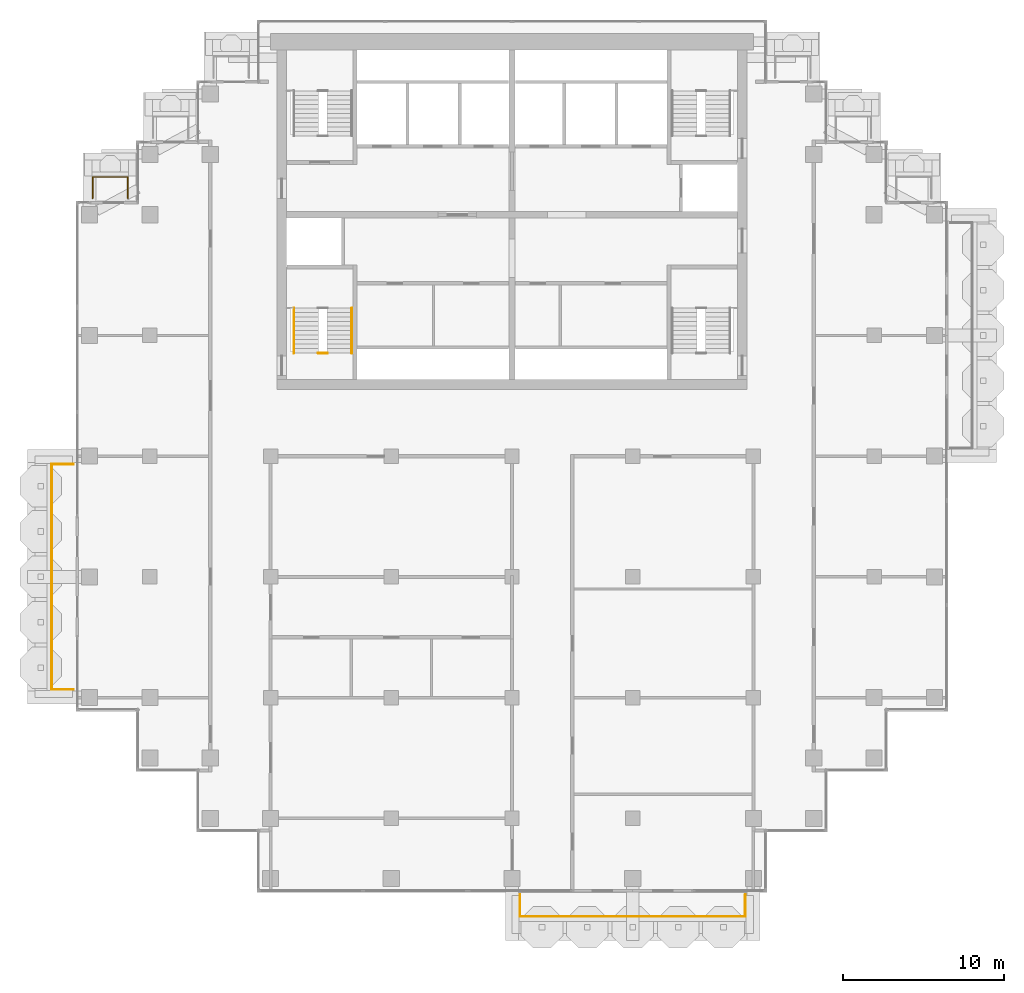
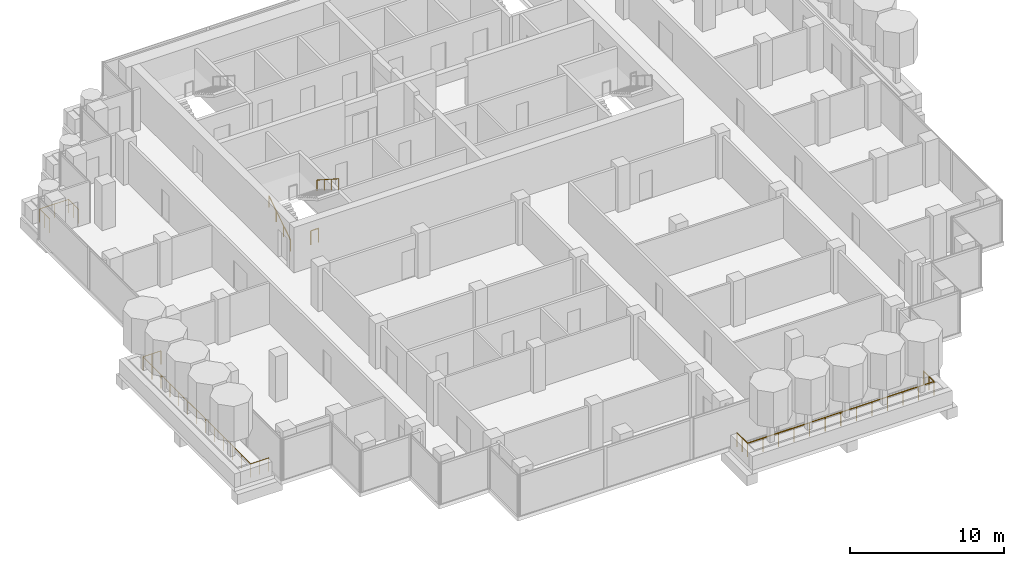
# One storey, part 15 of 18: 6 railings.
"""IFC4 building model written with IfcOpenShell, lengths in metres."""

from ifc_helpers import new_model, si_unit, direction, frame, origin, origin_2d, place, context, subcontext, project, spatial, circle, extrude, material, type_object, element, save


model = new_model("IFC4")

# Units and contexts
model_context = context("Model", 3, precision=1e-05, world=origin(), true_north=direction((0.0, 1.0)))
body_context = subcontext(model_context, "Body", "Model", "MODEL_VIEW")
ifc_project = project(units=[si_unit("LENGTHUNIT", "METRE"), si_unit("AREAUNIT", "SQUARE_METRE"), si_unit("VOLUMEUNIT", "CUBIC_METRE"), si_unit("PLANEANGLEUNIT", "RADIAN"), si_unit("MASSUNIT", "GRAM", prefix="KILO")], contexts=[model_context])

# Site, building, storey
site_placement = place(None, origin())
site = spatial("IfcSite", under=ifc_project, at=site_placement, CompositionType="ELEMENT")
building_placement = place(site_placement, origin())
building = spatial("IfcBuilding", under=site, at=building_placement, Name="Pilkhan Gate Tower", CompositionType="ELEMENT")
storey_placement = place(building_placement, frame((0.0, 0.0, 203.10009765625)))
storey = spatial("IfcBuildingStorey", under=building, at=storey_placement, Name="L52", CompositionType="ELEMENT", Elevation=203.10009765625)

# Railings
ifc_material_1 = material(Name="Pale anodised aluminium posts, laminated glass infill", Category="aluminium")
railing_type_1 = type_object("IfcRailingType", Name="Balcony guard G1", PredefinedType="BALUSTRADE", material=ifc_material_1)
railing_1_placement = place(storey_placement, frame((75.5, 40.25, 0.0)))
element("IfcRailing", 1, at=railing_1_placement, inside=storey, type_object=railing_type_1, Name="Balcony guard L52 S", PredefinedType="BALUSTRADE", context=body_context, shape_type="SweptSolid", body=[
    extrude(circle(Radius=0.02392578125, at=origin_2d()), frame((0.0, 0.0, 1.076171875), z_axis=(0.0, -1.0, 0.0), x_axis=(1.0, 0.0, 0.0)), (0.0, 0.0, 1.0), 1.35009765625),
    extrude(circle(Radius=0.02392578125, at=origin_2d()), frame((0.0, -1.35009765625, 1.076171875), z_axis=(1.0, 0.0, 0.0), x_axis=(0.0, 1.0, 0.0)), (0.0, 0.0, 1.0), 14.0),
    extrude(circle(Radius=0.02392578125, at=origin_2d()), frame((14.0, -1.35009765625, 1.076171875), z_axis=(0.0, 1.0, 0.0), x_axis=(-1.0, 0.0, 0.0)), (0.0, 0.0, 1.0), 1.35009765625),
    extrude(circle(Radius=0.02099609375, at=origin_2d()), origin(), (0.0, 0.0, 1.0), 1.052001953125),
    extrude(circle(Radius=0.02099609375, at=origin_2d()), frame((0.0, -0.675048828125, 0.0)), (0.0, 0.0, 1.0), 1.052001953125),
    extrude(circle(Radius=0.02099609375, at=origin_2d()), frame((0.0, -1.35009765625, 0.0)), (0.0, 0.0, 1.0), 1.052001953125),
    extrude(circle(Radius=0.02099609375, at=origin_2d()), frame((1.166748046875, -1.35009765625, 0.0)), (0.0, 0.0, 1.0), 1.052001953125),
    extrude(circle(Radius=0.02099609375, at=origin_2d()), frame((2.333251953125, -1.35009765625, 0.0)), (0.0, 0.0, 1.0), 1.052001953125),
    extrude(circle(Radius=0.02099609375, at=origin_2d()), frame((3.5, -1.35009765625, 0.0)), (0.0, 0.0, 1.0), 1.052001953125),
    extrude(circle(Radius=0.02099609375, at=origin_2d()), frame((4.666748046875, -1.35009765625, 0.0)), (0.0, 0.0, 1.0), 1.052001953125),
    extrude(circle(Radius=0.02099609375, at=origin_2d()), frame((5.833251953125, -1.35009765625, 0.0)), (0.0, 0.0, 1.0), 1.052001953125),
    extrude(circle(Radius=0.02099609375, at=origin_2d()), frame((7.0, -1.35009765625, 0.0)), (0.0, 0.0, 1.0), 1.052001953125),
    extrude(circle(Radius=0.02099609375, at=origin_2d()), frame((8.166748046875, -1.35009765625, 0.0)), (0.0, 0.0, 1.0), 1.052001953125),
    extrude(circle(Radius=0.02099609375, at=origin_2d()), frame((9.333251953125, -1.35009765625, 0.0)), (0.0, 0.0, 1.0), 1.052001953125),
    extrude(circle(Radius=0.02099609375, at=origin_2d()), frame((10.5, -1.35009765625, 0.0)), (0.0, 0.0, 1.0), 1.052001953125),
    extrude(circle(Radius=0.02099609375, at=origin_2d()), frame((11.666748046875, -1.35009765625, 0.0)), (0.0, 0.0, 1.0), 1.052001953125),
    extrude(circle(Radius=0.02099609375, at=origin_2d()), frame((12.833251953125, -1.35009765625, 0.0)), (0.0, 0.0, 1.0), 1.052001953125),
    extrude(circle(Radius=0.02099609375, at=origin_2d()), frame((14.0, -1.35009765625, 0.0)), (0.0, 0.0, 1.0), 1.052001953125),
    extrude(circle(Radius=0.02099609375, at=origin_2d()), frame((14.0, -0.675048828125, 0.0)), (0.0, 0.0, 1.0), 1.052001953125),
    extrude(circle(Radius=0.02099609375, at=origin_2d()), frame((14.0, 0.0, 0.0)), (0.0, 0.0, 1.0), 1.052001953125),
])
railing_2_placement = place(storey_placement, frame((48.949951171875, 83.52001953125, 0.0)))
element("IfcRailing", 2, at=railing_2_placement, inside=storey, type_object=railing_type_1, Name="Balcony guard L52 N", PredefinedType="BALUSTRADE", context=body_context, shape_type="SweptSolid", body=[
    extrude(circle(Radius=0.02392578125, at=origin_2d()), frame((0.0, 0.0, 1.076171875), z_axis=(0.0, 1.0, 0.0), x_axis=(-1.0, 0.0, 0.0)), (0.0, 0.0, 1.0), 1.330078125),
    extrude(circle(Radius=0.02392578125, at=origin_2d()), frame((0.0, 1.330078125, 1.076171875), z_axis=(1.0, 0.0, 0.0), x_axis=(0.0, 1.0, 0.0)), (0.0, 0.0, 1.0), 2.179931640625),
    extrude(circle(Radius=0.02392578125, at=origin_2d()), frame((2.179931640625, 1.330078125, 1.076171875), z_axis=(0.0, -1.0, 0.0), x_axis=(1.0, 0.0, 0.0)), (0.0, 0.0, 1.0), 1.330078125),
    extrude(circle(Radius=0.02099609375, at=origin_2d()), origin(), (0.0, 0.0, 1.0), 1.052001953125),
    extrude(circle(Radius=0.02099609375, at=origin_2d()), frame((0.0, 0.6650390625, 0.0)), (0.0, 0.0, 1.0), 1.052001953125),
    extrude(circle(Radius=0.02099609375, at=origin_2d()), frame((0.0, 1.330078125, 0.0)), (0.0, 0.0, 1.0), 1.052001953125),
    extrude(circle(Radius=0.02099609375, at=origin_2d()), frame((1.08984375, 1.330078125, 0.0)), (0.0, 0.0, 1.0), 1.052001953125),
    extrude(circle(Radius=0.02099609375, at=origin_2d()), frame((2.179931640625, 1.330078125, 0.0)), (0.0, 0.0, 1.0), 1.052001953125),
    extrude(circle(Radius=0.02099609375, at=origin_2d()), frame((2.179931640625, 0.6650390625, 0.0)), (0.0, 0.0, 1.0), 1.052001953125),
    extrude(circle(Radius=0.02099609375, at=origin_2d()), frame((2.179931640625, 0.0, 0.0)), (0.0, 0.0, 1.0), 1.052001953125),
])
railing_3_placement = place(storey_placement, frame((47.75, 53.0, 0.0)))
element("IfcRailing", 3, at=railing_3_placement, inside=storey, type_object=railing_type_1, Name="Balcony guard L52 W", PredefinedType="BALUSTRADE", context=body_context, shape_type="SweptSolid", body=[
    extrude(circle(Radius=0.02392578125, at=origin_2d()), frame((0.0, 0.0, 1.076171875), z_axis=(-1.0, 0.0, 0.0), x_axis=(0.0, -1.0, 0.0)), (0.0, 0.0, 1.0), 1.35009765625),
    extrude(circle(Radius=0.02392578125, at=origin_2d()), frame((-1.35009765625, 0.0, 1.076171875), z_axis=(0.0, 1.0, 0.0), x_axis=(-1.0, 0.0, 0.0)), (0.0, 0.0, 1.0), 14.0),
    extrude(circle(Radius=0.02392578125, at=origin_2d()), frame((-1.35009765625, 14.0, 1.076171875), z_axis=(1.0, 0.0, 0.0), x_axis=(0.0, 1.0, 0.0)), (0.0, 0.0, 1.0), 1.35009765625),
    extrude(circle(Radius=0.02099609375, at=origin_2d()), origin(), (0.0, 0.0, 1.0), 1.052001953125),
    extrude(circle(Radius=0.02099609375, at=origin_2d()), frame((-0.675048828125, 0.0, 0.0)), (0.0, 0.0, 1.0), 1.052001953125),
    extrude(circle(Radius=0.02099609375, at=origin_2d()), frame((-1.35009765625, 0.0, 0.0)), (0.0, 0.0, 1.0), 1.052001953125),
    extrude(circle(Radius=0.02099609375, at=origin_2d()), frame((-1.35009765625, 1.166748046875, 0.0)), (0.0, 0.0, 1.0), 1.052001953125),
    extrude(circle(Radius=0.02099609375, at=origin_2d()), frame((-1.35009765625, 2.333251953125, 0.0)), (0.0, 0.0, 1.0), 1.052001953125),
    extrude(circle(Radius=0.02099609375, at=origin_2d()), frame((-1.35009765625, 3.5, 0.0)), (0.0, 0.0, 1.0), 1.052001953125),
    extrude(circle(Radius=0.02099609375, at=origin_2d()), frame((-1.35009765625, 4.666748046875, 0.0)), (0.0, 0.0, 1.0), 1.052001953125),
    extrude(circle(Radius=0.02099609375, at=origin_2d()), frame((-1.35009765625, 5.833251953125, 0.0)), (0.0, 0.0, 1.0), 1.052001953125),
    extrude(circle(Radius=0.02099609375, at=origin_2d()), frame((-1.35009765625, 7.0, 0.0)), (0.0, 0.0, 1.0), 1.052001953125),
    extrude(circle(Radius=0.02099609375, at=origin_2d()), frame((-1.35009765625, 8.166748046875, 0.0)), (0.0, 0.0, 1.0), 1.052001953125),
    extrude(circle(Radius=0.02099609375, at=origin_2d()), frame((-1.35009765625, 9.333251953125, 0.0)), (0.0, 0.0, 1.0), 1.052001953125),
    extrude(circle(Radius=0.02099609375, at=origin_2d()), frame((-1.35009765625, 10.5, 0.0)), (0.0, 0.0, 1.0), 1.052001953125),
    extrude(circle(Radius=0.02099609375, at=origin_2d()), frame((-1.35009765625, 11.666748046875, 0.0)), (0.0, 0.0, 1.0), 1.052001953125),
    extrude(circle(Radius=0.02099609375, at=origin_2d()), frame((-1.35009765625, 12.833251953125, 0.0)), (0.0, 0.0, 1.0), 1.052001953125),
    extrude(circle(Radius=0.02099609375, at=origin_2d()), frame((-1.35009765625, 14.0, 0.0)), (0.0, 0.0, 1.0), 1.052001953125),
    extrude(circle(Radius=0.02099609375, at=origin_2d()), frame((-0.675048828125, 14.0, 0.0)), (0.0, 0.0, 1.0), 1.052001953125),
    extrude(circle(Radius=0.02099609375, at=origin_2d()), frame((0.0, 14.0, 0.0)), (0.0, 0.0, 1.0), 1.052001953125),
])
ifc_material_2 = material(Name="Black powder-coated steel tube", Category="steel")
railing_type_2 = type_object("IfcRailingType", Name="Stair handrail HR1", PredefinedType="HANDRAIL", material=ifc_material_2)
railing_4_placement = place(storey_placement, frame((61.449951171875, 73.89990234375, 0.0)))
element("IfcRailing", 4, at=railing_4_placement, inside=storey, type_object=railing_type_2, Name="Stair ST2 handrail L52", PredefinedType="HANDRAIL", context=body_context, shape_type="SweptSolid", body=[
    extrude(circle(Radius=0.02392578125, at=origin_2d()), frame((0.0, 0.0, 0.8759765625), z_axis=(0.0, 0.841209454229, 0.540709398952), x_axis=(-1.0, 0.0, 0.0)), (0.0, 0.0, 1.0), 3.32861328125),
    extrude(circle(Radius=0.02099609375, at=origin_2d()), origin(), (0.0, 0.0, 1.0), 0.851806640625),
    extrude(circle(Radius=0.02099609375, at=origin_2d()), frame((0.0, 0.933349609375, 0.599853515625)), (0.0, 0.0, 1.0), 0.851806640625),
    extrude(circle(Radius=0.02099609375, at=origin_2d()), frame((0.0, 1.86669921875, 1.199951171875)), (0.0, 0.0, 1.0), 0.851806640625),
    extrude(circle(Radius=0.02099609375, at=origin_2d()), frame((0.0, 2.800048828125, 1.7998046875)), (0.0, 0.0, 1.0), 0.851806640625),
])
railing_5_placement = place(storey_placement, frame((65.050048828125, 76.699951171875, 1.7998046875)))
element("IfcRailing", 5, at=railing_5_placement, inside=storey, type_object=railing_type_2, Name="Stair ST2 handrail L52", PredefinedType="HANDRAIL", context=body_context, shape_type="SweptSolid", body=[
    extrude(circle(Radius=0.02392578125, at=origin_2d()), frame((0.0, 0.0, 0.8759765625), z_axis=(0.0, -0.841176092368, 0.540761298198), x_axis=(1.0, 0.0, 0.0)), (0.0, 0.0, 1.0), 3.32861328125),
    extrude(circle(Radius=0.02099609375, at=origin_2d()), origin(), (0.0, 0.0, 1.0), 0.851806640625),
    extrude(circle(Radius=0.02099609375, at=origin_2d()), frame((0.0, -0.933349609375, 0.60009765625)), (0.0, 0.0, 1.0), 0.851806640625),
    extrude(circle(Radius=0.02099609375, at=origin_2d()), frame((0.0, -1.86669921875, 1.199951171875)), (0.0, 0.0, 1.0), 0.851806640625),
    extrude(circle(Radius=0.02099609375, at=origin_2d()), frame((0.0, -2.800048828125, 1.800048828125)), (0.0, 0.0, 1.0), 0.851806640625),
])
ifc_material_3 = material(Name="Black powder-coated steel balusters", Category="steel")
railing_type_3 = type_object("IfcRailingType", Name="Stair well guard G3", PredefinedType="GUARDRAIL", material=ifc_material_3)
railing_6_placement = place(storey_placement, frame((62.9599609375, 73.89990234375, 0.0)))
element("IfcRailing", 6, at=railing_6_placement, inside=storey, type_object=railing_type_3, Name="Stair ST2 well guard L52", PredefinedType="GUARDRAIL", context=body_context, shape_type="SweptSolid", body=[
    extrude(circle(Radius=0.02392578125, at=origin_2d()), frame((0.0, 0.0, 1.076171875), z_axis=(1.0, 0.0, 0.0), x_axis=(0.0, 1.0, 0.0)), (0.0, 0.0, 1.0), 0.580078125),
    extrude(circle(Radius=0.02099609375, at=origin_2d()), origin(), (0.0, 0.0, 1.0), 1.052001953125),
    extrude(circle(Radius=0.02099609375, at=origin_2d()), frame((0.580078125, 0.0, 0.0)), (0.0, 0.0, 1.0), 1.052001953125),
])

save(model, "model.ifc")
